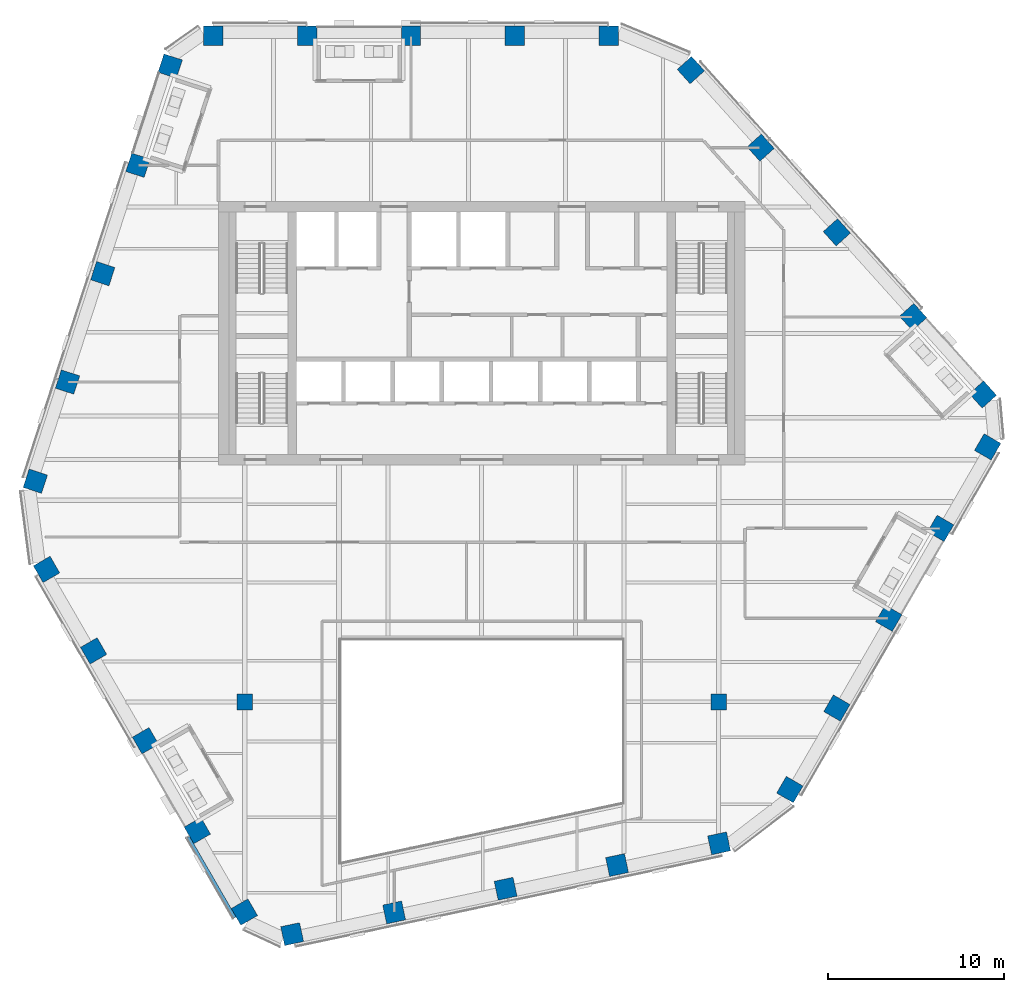
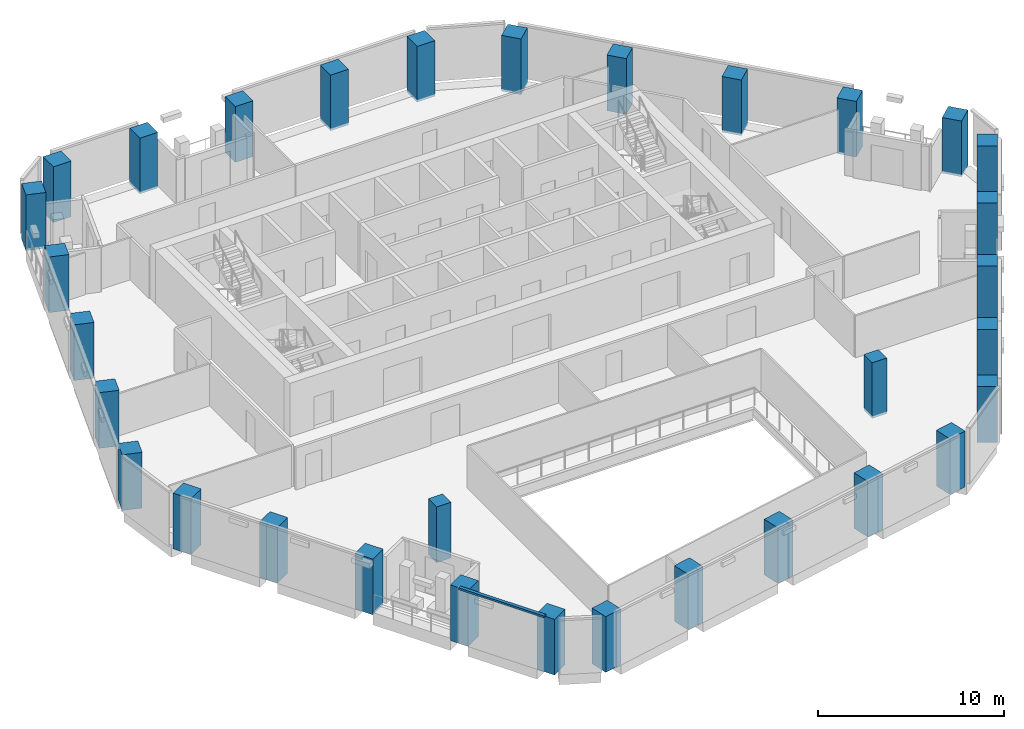
# One storey, part 1 of 25: 32 columns, 1 member, 1 element without a shape of its own.
"""IFC4 building model written with IfcOpenShell, lengths in metres."""

from ifc_helpers import new_model, si_unit, direction, frame, origin, origin_2d, place, context, subcontext, project, spatial, rectangle, extrude, material, layer, layer_set, material_profile, profile_set, type_object, element, aggregate, save


model = new_model("IFC4")

# Units and contexts
model_context = context("Model", 3, precision=1e-05, world=origin(), true_north=direction((0.0, 1.0)))
body_context = subcontext(model_context, "Body", "Model", "MODEL_VIEW")
ifc_project = project(units=[si_unit("LENGTHUNIT", "METRE"), si_unit("AREAUNIT", "SQUARE_METRE"), si_unit("VOLUMEUNIT", "CUBIC_METRE"), si_unit("PLANEANGLEUNIT", "RADIAN"), si_unit("MASSUNIT", "GRAM", prefix="KILO")], contexts=[model_context])

# Site, building, storey
site_placement = place(None, origin())
site = spatial("IfcSite", under=ifc_project, at=site_placement, CompositionType="ELEMENT")
building_placement = place(site_placement, origin())
building = spatial("IfcBuilding", under=site, at=building_placement, Name="Isthmus Gate Tower", CompositionType="ELEMENT")
storey_placement = place(building_placement, frame((0.0, 0.0, 249.14990234375)))
storey = spatial("IfcBuildingStorey", under=building, at=storey_placement, Name="L63", CompositionType="ELEMENT", Elevation=249.14990234375)

# Columns
ifc_material_1 = material(Name="Concrete f'c 50 MPa", Category="concrete")
ifc_material_profile_1 = material_profile(ifc_material_1, rectangle(XDim=0.89990234375, YDim=0.89990234375, at=origin_2d()), Name="RC 900X900")
ifc_profile_set_1 = profile_set([ifc_material_profile_1], Name="Concrete f'c 50 MPa")
column_type_1 = type_object("IfcColumnType", Name="RC INTERIOR COLUMN 900 X 900", PredefinedType="COLUMN", material=ifc_profile_set_1)
for number, where, z_axis, x_axis, name in (
    (1, (-13.5, -13.5, -0.14990234375), (0.0, 0.0, 1.0), (1.0, 0.0, 0.0), "str-icol-L63-ICB2"),
    (2, (13.5, -13.5, -0.14990234375), (0.0, 0.0, 1.0), (1.0, 0.0, 0.0), "str-icol-L63-ICD2"),
):
    element("IfcColumn", number, at=place(storey_placement, frame(where, z_axis=z_axis, x_axis=x_axis)), inside=storey, type_object=column_type_1, Name=name, PredefinedType="COLUMN", context=body_context, shape_type="SweptSolid", body=[
        extrude(rectangle(XDim=0.89990234375, YDim=0.89990234375, at=origin_2d()), origin(), (0.0, 0.0, 1.0), 3.64990234375),
    ])
ifc_material_2 = material(Name="Concrete f'c 50 MPa", Category="concrete")
ifc_material_profile_2 = material_profile(ifc_material_2, rectangle(XDim=1.10009765625, YDim=1.10009765625, at=origin_2d()), Name="RC 1100X1100")
ifc_profile_set_2 = profile_set([ifc_material_profile_2], Name="Concrete f'c 50 MPa")
column_type_2 = type_object("IfcColumnType", Name="RC TUBE COLUMN 1100 X 1100", PredefinedType="COLUMN", material=ifc_profile_set_2)
for number, where, z_axis, x_axis, name in (
    (3, (7.2412109375, 24.449951171875, -0.14990234375), (0.0, 0.0, 1.0), (-1.0, 0.0, 0.0), "str-tcol-L63-T3N0"),
    (4, (1.880615234375, 24.449951171875, -0.14990234375), (0.0, 0.0, 1.0), (-1.0, 0.0, 0.0), "str-tcol-L63-T3N1"),
    (5, (-4.030029296875, 24.449951171875, -0.14990234375), (0.0, 0.0, 1.0), (-1.0, 0.0, 0.0), "str-tcol-L63-T3N2"),
    (6, (-9.940673828125, 24.449951171875, -0.14990234375), (0.0, 0.0, 1.0), (-1.0, 0.0, 0.0), "str-tcol-L63-T3N3"),
    (7, (-15.30126953125, 24.449951171875, -0.14990234375), (0.0, 0.0, 1.0), (-1.0, 0.0, 0.0), "str-tcol-L63-T3N4"),
    (8, (-17.7509765625, 22.721923828125, -0.14990234375), (0.0, 0.0, 1.0), (-0.309016994375, -0.951056516295, 0.0), "str-tcol-L63-T3NW0"),
    (9, (-19.587158203125, 17.07080078125, -0.14990234375), (0.0, 0.0, 1.0), (-0.309016994375, -0.951056516295, 0.0), "str-tcol-L63-T3NW1"),
    (10, (-21.59326171875, 10.896728515625, -0.14990234375), (0.0, 0.0, 1.0), (-0.309016994375, -0.951056516295, 0.0), "str-tcol-L63-T3NW2"),
    (11, (-23.599365234375, 4.72265625, -0.14990234375), (0.0, 0.0, 1.0), (-0.309016994375, -0.951056516295, 0.0), "str-tcol-L63-T3NW3"),
    (12, (-25.435546875, -0.928466796875, -0.14990234375), (0.0, 0.0, 1.0), (-0.309016994375, -0.951056516295, 0.0), "str-tcol-L63-T3NW4"),
    (13, (-24.794921875, -5.9541015625, -0.14990234375), (0.0, 0.0, 1.0), (0.5, -0.866025403784, 0.0), "str-tcol-L63-T3SW0"),
    (14, (-22.114501953125, -10.596435546875, -0.14990234375), (0.0, 0.0, 1.0), (0.5, -0.866025403784, 0.0), "str-tcol-L63-T3SW1"),
    (15, (-19.1591796875, -15.715087890625, -0.14990234375), (0.0, 0.0, 1.0), (0.5, -0.866025403784, 0.0), "str-tcol-L63-T3SW2"),
    (16, (-16.2041015625, -20.833984375, -0.14990234375), (0.0, 0.0, 1.0), (0.5, -0.866025403784, 0.0), "str-tcol-L63-T3SW3"),
    (17, (-13.523681640625, -25.476318359375, -0.14990234375), (0.0, 0.0, 1.0), (0.5, -0.866025403784, 0.0), "str-tcol-L63-T3SW4"),
    (18, (-10.80224609375, -26.73388671875, -0.14990234375), (0.0, 0.0, 1.0), (0.978147600734, 0.207911690818, 0.0), "str-tcol-L63-T3S0"),
    (19, (-4.990234375, -25.498291015625, -0.14990234375), (0.0, 0.0, 1.0), (0.978147600734, 0.207911690818, 0.0), "str-tcol-L63-T3S1"),
    (20, (1.35986328125, -24.148681640625, -0.14990234375), (0.0, 0.0, 1.0), (0.978147600734, 0.207911690818, 0.0), "str-tcol-L63-T3S2"),
    (21, (7.7099609375, -22.798828125, -0.14990234375), (0.0, 0.0, 1.0), (0.978147600734, 0.207911690818, 0.0), "str-tcol-L63-T3S3"),
    (22, (13.52197265625, -21.5634765625, -0.14990234375), (0.0, 0.0, 1.0), (0.978147600734, 0.207911690818, 0.0), "str-tcol-L63-T3S4"),
    (23, (17.5537109375, -18.495849609375, -0.14990234375), (0.0, 0.0, 1.0), (0.5, 0.866025403784, 0.0), "str-tcol-L63-T3SE0"),
    (24, (20.234130859375, -13.853515625, -0.14990234375), (0.0, 0.0, 1.0), (0.5, 0.866025403784, 0.0), "str-tcol-L63-T3SE1"),
    (25, (23.189453125, -8.73486328125, -0.14990234375), (0.0, 0.0, 1.0), (0.5, 0.866025403784, 0.0), "str-tcol-L63-T3SE2"),
    (26, (26.144775390625, -3.6162109375, -0.14990234375), (0.0, 0.0, 1.0), (0.5, 0.866025403784, 0.0), "str-tcol-L63-T3SE3"),
    (27, (28.824951171875, 1.0263671875, -0.14990234375), (0.0, 0.0, 1.0), (0.5, 0.866025403784, 0.0), "str-tcol-L63-T3SE4"),
    (28, (28.55322265625, 4.011962890625, -0.14990234375), (0.0, 0.0, 1.0), (-0.669130606359, 0.743144825477, 0.0), "str-tcol-L63-T3NE0"),
    (29, (24.577392578125, 8.427490234375, -0.14990234375), (0.0, 0.0, 1.0), (-0.669130606359, 0.743144825477, 0.0), "str-tcol-L63-T3NE1"),
    (30, (20.2333984375, 13.251953125, -0.14990234375), (0.0, 0.0, 1.0), (-0.669130606359, 0.743144825477, 0.0), "str-tcol-L63-T3NE2"),
    (31, (15.8896484375, 18.076416015625, -0.14990234375), (0.0, 0.0, 1.0), (-0.669130606359, 0.743144825477, 0.0), "str-tcol-L63-T3NE3"),
    (32, (11.91357421875, 22.4921875, -0.14990234375), (0.0, 0.0, 1.0), (-0.669130606359, 0.743144825477, 0.0), "str-tcol-L63-T3NE4"),
):
    element("IfcColumn", number, at=place(storey_placement, frame(where, z_axis=z_axis, x_axis=x_axis)), inside=storey, type_object=column_type_2, Name=name, PredefinedType="COLUMN", context=body_context, shape_type="SweptSolid", body=[
        extrude(rectangle(XDim=1.10009765625, YDim=1.10009765625, at=origin_2d()), origin(), (0.0, 0.0, 1.0), 3.64990234375),
    ])

# Curtain wall, member
ifc_material_3 = material(Name="Aluminium, pale champagne anodised", Category="aluminium")
ifc_layer = layer(ifc_material_3, 0.199951171875)
ifc_layer_set = layer_set([ifc_layer], Name="CW-1 UNITISED CURTAIN WALL 200 DEEP")
curtain_wall_type = type_object("IfcCurtainWallType", Name="CW-1 UNITISED CURTAIN WALL 200 DEEP", PredefinedType="NOTDEFINED", material=ifc_layer_set)
curtain_wall_placement = place(storey_placement, origin())
curtain_wall = element("IfcCurtainWall", 33, at=curtain_wall_placement, inside=storey, type_object=curtain_wall_type, Name="CW-1 SW L63", PredefinedType="NOTDEFINED")
ifc_material_4 = material(Name="Aluminium, pale champagne anodised", Category="aluminium")
ifc_material_profile_3 = material_profile(ifc_material_4, rectangle(XDim=0.199951171875, YDim=0.1298828125, at=origin_2d()), Name="200x130")
ifc_profile_set_3 = profile_set([ifc_material_profile_3], Name="Aluminium, pale champagne anodised")
member_type = type_object("IfcMemberType", Name="CW-1 TRANSOM 200 X 130", PredefinedType="USERDEFINED", material=ifc_profile_set_3)
member_placement = place(storey_placement, frame((-16.73681640625, -21.2109375, 3.585205078125), z_axis=(0.499988262736, -0.866032180191, 0.0), x_axis=(0.866032180191, 0.499988262736, 0.0)))
member = element("IfcMember", 34, at=member_placement, type_object=member_type, Name="CW-1 transom", ObjectType="TRANSOM", PredefinedType="USERDEFINED", context=body_context, shape_type="SweptSolid", body=[
    extrude(rectangle(XDim=0.199951171875, YDim=0.1298828125, at=origin_2d()), origin(), (0.0, 0.0, 1.0), 5.300537109375),
])
aggregate(curtain_wall, [member])

save(model, "model.ifc")
